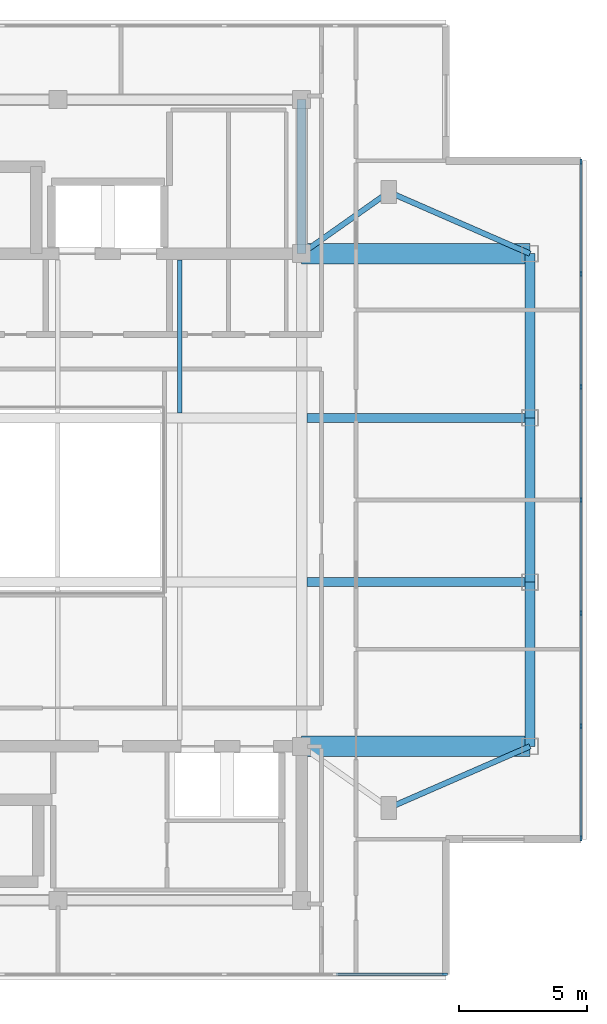
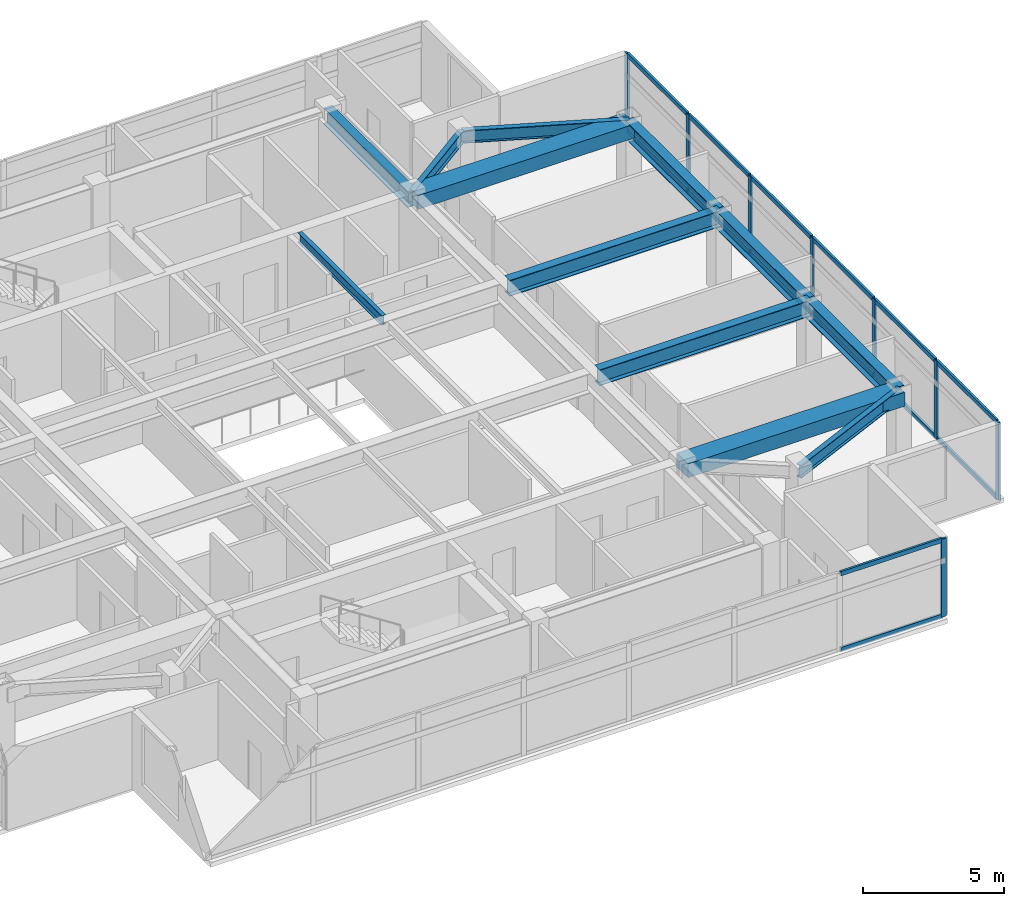
# One storey, part 3 of 12: 22 members, 12 beams, 2 elements without a shape of their own.
"""IFC4 building model written with IfcOpenShell, lengths in metres."""

from ifc_helpers import new_model, si_unit, direction, frame, origin, origin_2d, place, context, subcontext, project, spatial, rectangle, i_section, extrude, material, material_profile, profile_set, type_object, element, aggregate, save


model = new_model("IFC4")

# Units and contexts
model_context = context("Model", 3, precision=1e-05, world=origin(), true_north=direction((0.0, 1.0)))
body_context = subcontext(model_context, "Body", "Model", "MODEL_VIEW")
ifc_project = project(units=[si_unit("LENGTHUNIT", "METRE"), si_unit("AREAUNIT", "SQUARE_METRE"), si_unit("VOLUMEUNIT", "CUBIC_METRE"), si_unit("PLANEANGLEUNIT", "RADIAN"), si_unit("MASSUNIT", "GRAM", prefix="KILO")], contexts=[model_context])

# Site, building, storey
site_placement = place(None, origin())
site = spatial("IfcSite", under=ifc_project, at=site_placement, CompositionType="ELEMENT")
building_placement = place(site_placement, origin())
building = spatial("IfcBuilding", under=site, at=building_placement, Name="Mirazonda Arch Towers", CompositionType="ELEMENT")
storey_placement = place(building_placement, frame((0.0, 0.0, 256.300048828125)))
storey = spatial("IfcBuildingStorey", under=building, at=storey_placement, Name="L73", CompositionType="ELEMENT", Elevation=256.300048828125)

# Beams
ifc_material_1 = material(Name="Steel ASTM A992 Grade 50", Category="steel")
ifc_material_profile_1 = material_profile(ifc_material_1, i_section(OverallWidth=0.381103515625, OverallDepth=0.77294921875, WebThickness=0.0166015625, FlangeThickness=0.027099609375, at=origin_2d()), Name="W30X173")
ifc_profile_set_1 = profile_set([ifc_material_profile_1], Name="Steel ASTM A992 Grade 50")
beam_type_1 = type_object("IfcBeamType", Name="BM-EXT-W30X173", PredefinedType="USERDEFINED", material=ifc_profile_set_1)
beam_1_placement = place(storey_placement, frame((38.89990234375, 18.39990234375, 3.013427734375), z_axis=(0.0, 1.0, 0.0), x_axis=(-1.0, 0.0, 0.0)))
element("IfcBeam", 1, at=beam_1_placement, inside=storey, type_object=beam_type_1, Name="L73 Floor Beam BM-T1-L73-NS-E-18", ObjectType="GIRDER", PredefinedType="USERDEFINED", context=body_context, shape_type="SweptSolid", body=[
    extrude(i_section(OverallWidth=0.381103515625, OverallDepth=0.77294921875, WebThickness=0.0166015625, FlangeThickness=0.027099609375, at=origin_2d()), origin(), (0.0, 0.0, 1.0), 6.400146484375),
])
beam_2_placement = place(storey_placement, frame((38.89990234375, 24.800048828125, 3.013427734375), z_axis=(0.0, 1.0, 0.0), x_axis=(-1.0, 0.0, 0.0)))
element("IfcBeam", 2, at=beam_2_placement, inside=storey, type_object=beam_type_1, Name="L73 Floor Beam BM-T1-L73-NS-E-24", ObjectType="GIRDER", PredefinedType="USERDEFINED", context=body_context, shape_type="SweptSolid", body=[
    extrude(i_section(OverallWidth=0.381103515625, OverallDepth=0.77294921875, WebThickness=0.0166015625, FlangeThickness=0.027099609375, at=origin_2d()), origin(), (0.0, 0.0, 1.0), 6.39990234375),
])
beam_3_placement = place(storey_placement, frame((38.89990234375, 31.199951171875, 3.013427734375), z_axis=(0.0, 1.0, 0.0), x_axis=(-1.0, 0.0, 0.0)))
element("IfcBeam", 3, at=beam_3_placement, inside=storey, type_object=beam_type_1, Name="L73 Floor Beam BM-T1-L73-NS-E-31", ObjectType="GIRDER", PredefinedType="USERDEFINED", context=body_context, shape_type="SweptSolid", body=[
    extrude(i_section(OverallWidth=0.381103515625, OverallDepth=0.77294921875, WebThickness=0.0166015625, FlangeThickness=0.027099609375, at=origin_2d()), origin(), (0.0, 0.0, 1.0), 6.400146484375),
])
ifc_material_profile_2 = material_profile(ifc_material_1, i_section(OverallWidth=0.180908203125, OverallDepth=0.4169921875, WebThickness=0.010986328125, FlangeThickness=0.018310546875, at=origin_2d()), Name="W16X57")
ifc_profile_set_2 = profile_set([ifc_material_profile_2], Name="Steel ASTM A992 Grade 50")
beam_type_2 = type_object("IfcBeamType", Name="BM-INT-W16X57", PredefinedType="JOIST", material=ifc_profile_set_2)
beam_4_placement = place(storey_placement, frame((25.25, 31.39599609375, 3.19140625), z_axis=(0.0, 1.0, 0.0), x_axis=(-1.0, 0.0, 0.0)))
element("IfcBeam", 4, at=beam_4_placement, inside=storey, type_object=beam_type_2, Name="L73 Floor Beam BM-T1-L73-J-252-31", PredefinedType="JOIST", context=body_context, shape_type="SweptSolid", body=[
    extrude(i_section(OverallWidth=0.180908203125, OverallDepth=0.4169921875, WebThickness=0.010986328125, FlangeThickness=0.018310546875, at=origin_2d()), origin(), (0.0, 0.0, 1.0), 5.964111328125),
])
ifc_material_profile_3 = material_profile(ifc_material_1, i_section(OverallWidth=0.214111328125, OverallDepth=0.549072265625, WebThickness=0.0146484375, FlangeThickness=0.023681640625, at=origin_2d()), Name="W21X93")
ifc_profile_set_3 = profile_set([ifc_material_profile_3], Name="Steel ASTM A992 Grade 50")
beam_type_3 = type_object("IfcBeamType", Name="BM-INT-W21X93", PredefinedType="BEAM", material=ifc_profile_set_3)
beam_5_placement = place(storey_placement, frame((33.39990234375, 16.0, 3.12548828125), z_axis=(0.916545343703, 0.399930785183, 0.0), x_axis=(-0.399930785183, 0.916545343703, 0.0)))
element("IfcBeam", 5, at=beam_5_placement, inside=storey, type_object=beam_type_3, Name="L73 Floor Beam BM-T1-L73-PL-SE2", PredefinedType="BEAM", context=body_context, shape_type="SweptSolid", body=[
    extrude(i_section(OverallWidth=0.214111328125, OverallDepth=0.549072265625, WebThickness=0.0146484375, FlangeThickness=0.023681640625, at=origin_2d()), origin(), (0.0, 0.0, 1.0), 6.000732421875),
])
beam_6_placement = place(storey_placement, frame((33.39990234375, 40.0, 3.12548828125), z_axis=(-0.816971114901, -0.576678591087, 0.0), x_axis=(0.576678591087, -0.816971114901, 0.0)))
element("IfcBeam", 6, at=beam_6_placement, inside=storey, type_object=beam_type_3, Name="L73 Floor Beam BM-T1-L73-PL-NE1", PredefinedType="BEAM", context=body_context, shape_type="SweptSolid", body=[
    extrude(i_section(OverallWidth=0.214111328125, OverallDepth=0.549072265625, WebThickness=0.0146484375, FlangeThickness=0.023681640625, at=origin_2d()), origin(), (0.0, 0.0, 1.0), 4.16162109375),
])
beam_7_placement = place(storey_placement, frame((33.39990234375, 40.0, 3.12548828125), z_axis=(0.916545343703, -0.399930785183, 0.0), x_axis=(0.399930785183, 0.916545343703, 0.0)))
element("IfcBeam", 7, at=beam_7_placement, inside=storey, type_object=beam_type_3, Name="L73 Floor Beam BM-T1-L73-PL-NE2", PredefinedType="BEAM", context=body_context, shape_type="SweptSolid", body=[
    extrude(i_section(OverallWidth=0.214111328125, OverallDepth=0.549072265625, WebThickness=0.0146484375, FlangeThickness=0.023681640625, at=origin_2d()), origin(), (0.0, 0.0, 1.0), 6.000732421875),
])
ifc_material_profile_4 = material_profile(ifc_material_1, i_section(OverallWidth=0.35498046875, OverallDepth=0.696044921875, WebThickness=0.015380859375, FlangeThickness=0.02490234375, at=origin_2d()), Name="W27X146")
ifc_profile_set_4 = profile_set([ifc_material_profile_4], Name="Steel ASTM A992 Grade 50")
beam_type_4 = type_object("IfcBeamType", Name="BM-INT-W27X146", PredefinedType="BEAM", material=ifc_profile_set_4)
for number, where, z_axis, x_axis, name in (
    (8, (30.199951171875, 24.800048828125, 3.052001953125), (1.0, 0.0, 0.0), (0.0, 1.0, 0.0), "L73 Floor Beam BM-T1-L73-GE2"),
    (9, (30.199951171875, 31.199951171875, 3.052001953125), (1.0, 0.0, 0.0), (0.0, 1.0, 0.0), "L73 Floor Beam BM-T1-L73-GE3"),
):
    element("IfcBeam", number, at=place(storey_placement, frame(where, z_axis=z_axis, x_axis=x_axis)), inside=storey, type_object=beam_type_4, Name=name, PredefinedType="BEAM", context=body_context, shape_type="SweptSolid", body=[
        extrude(i_section(OverallWidth=0.35498046875, OverallDepth=0.696044921875, WebThickness=0.015380859375, FlangeThickness=0.02490234375, at=origin_2d()), origin(), (0.0, 0.0, 1.0), 8.699951171875),
    ])
beam_8_placement = place(storey_placement, frame((30.0, 37.60009765625, 3.052001953125), z_axis=(0.0, 1.0, 0.0), x_axis=(-1.0, 0.0, 0.0)))
element("IfcBeam", 10, at=beam_8_placement, inside=storey, type_object=beam_type_4, Name="L73 Floor Beam BM-T1-L73-CNE", PredefinedType="BEAM", context=body_context, shape_type="SweptSolid", body=[
    extrude(i_section(OverallWidth=0.35498046875, OverallDepth=0.696044921875, WebThickness=0.015380859375, FlangeThickness=0.02490234375, at=origin_2d()), origin(), (0.0, 0.0, 1.0), 6.0),
])
ifc_material_2 = material(Name="Concrete C60/75", Category="concrete")
ifc_material_profile_5 = material_profile(ifc_material_2, rectangle(XDim=0.800048828125, YDim=0.60009765625, at=origin_2d()), Name="RCCB800x600")
ifc_profile_set_5 = profile_set([ifc_material_profile_5], Name="Concrete C60/75")
beam_type_5 = type_object("IfcBeamType", Name="CB-INT-RCCB800x600", PredefinedType="SPANDREL", material=ifc_profile_set_5)
for number, where, z_axis, x_axis, name in (
    (11, (30.0, 37.60009765625, 3.099853515625), (1.0, 0.0, 0.0), (0.0, 1.0, 0.0), "L73 Floor Beam CBC-T1-L73-NE"),
    (12, (30.0, 18.39990234375, 3.099853515625), (1.0, 0.0, 0.0), (0.0, 1.0, 0.0), "L73 Floor Beam CBC-T1-L73-SE"),
):
    element("IfcBeam", number, at=place(storey_placement, frame(where, z_axis=z_axis, x_axis=x_axis)), inside=storey, type_object=beam_type_5, Name=name, PredefinedType="SPANDREL", context=body_context, shape_type="SweptSolid", body=[
        extrude(rectangle(XDim=0.800048828125, YDim=0.60009765625, at=origin_2d()), origin(), (0.0, 0.0, 1.0), 8.89990234375),
    ])

# Curtain wall, member
ifc_material_3 = material(Name="Anodised Aluminium and Low-E Glass", Category="aluminium")
curtain_wall_type = type_object("IfcCurtainWallType", Name="CW-OBS-LANTERN", PredefinedType="NOTDEFINED", material=ifc_material_3)
curtain_wall_1_placement = place(storey_placement, origin())
curtain_wall_1 = element("IfcCurtainWall", 13, at=curtain_wall_1_placement, inside=storey, type_object=curtain_wall_type, Name="L73 T1 S Facade CW-L73-T1-S", PredefinedType="NOTDEFINED")
ifc_material_4 = material(Name="Anodised Aluminium Alloy", Category="aluminium")
ifc_material_profile_6 = material_profile(ifc_material_4, rectangle(XDim=0.090087890625, YDim=0.2099609375, at=origin_2d()), Name="ALU-MULL-90x210")
ifc_profile_set_6 = profile_set([ifc_material_profile_6], Name="Anodised Aluminium Alloy")
member_type_1 = type_object("IfcMemberType", Name="MULL-CW-OBS-LANTERN", PredefinedType="MULLION", material=ifc_profile_set_6)
member_1_placement = place(storey_placement, frame((35.580078125, 9.513916015625, 0.0), z_axis=(0.0, 0.0, 1.0), x_axis=(0.0, -1.0, 0.0)))
member_1 = element("IfcMember", 14, at=member_1_placement, type_object=member_type_1, Name="CW-110 mullion 1", PredefinedType="MULLION", context=body_context, shape_type="SweptSolid", body=[
    extrude(rectangle(XDim=0.090087890625, YDim=0.2099609375, at=origin_2d()), origin(), (0.0, 0.0, 1.0), 3.3798828125),
])

# Curtain wall, members
curtain_wall_2_placement = place(storey_placement, origin())
curtain_wall_2 = element("IfcCurtainWall", 15, at=curtain_wall_2_placement, inside=storey, type_object=curtain_wall_type, Name="L73 T1 E Facade CW-L73-T1-E", PredefinedType="NOTDEFINED")
member_2_placement = place(storey_placement, frame((40.889892578125, 14.823974609375, 0.0), z_axis=(0.0, 0.0, 1.0), x_axis=(-1.0, 0.0, 0.0)))
member_2 = element("IfcMember", 16, at=member_2_placement, type_object=member_type_1, Name="CW-110 mullion 1", PredefinedType="MULLION", context=body_context, shape_type="SweptSolid", body=[
    extrude(rectangle(XDim=0.090087890625, YDim=0.2099609375, at=origin_2d()), origin(), (0.0, 0.0, 1.0), 3.3798828125),
])
member_3_placement = place(storey_placement, frame((40.889892578125, 19.18603515625, 0.0), z_axis=(0.0, 0.0, 1.0), x_axis=(-1.0, 0.0, 0.0)))
member_3 = element("IfcMember", 17, at=member_3_placement, type_object=member_type_1, Name="CW-110 mullion 2", PredefinedType="MULLION", context=body_context, shape_type="SweptSolid", body=[
    extrude(rectangle(XDim=0.090087890625, YDim=0.2099609375, at=origin_2d()), origin(), (0.0, 0.0, 1.0), 3.3798828125),
])
member_4_placement = place(storey_placement, frame((40.889892578125, 23.593017578125, 0.0), z_axis=(0.0, 0.0, 1.0), x_axis=(-1.0, 0.0, 0.0)))
member_4 = element("IfcMember", 18, at=member_4_placement, type_object=member_type_1, Name="CW-110 mullion 3", PredefinedType="MULLION", context=body_context, shape_type="SweptSolid", body=[
    extrude(rectangle(XDim=0.090087890625, YDim=0.2099609375, at=origin_2d()), origin(), (0.0, 0.0, 1.0), 3.3798828125),
])
member_5_placement = place(storey_placement, frame((40.889892578125, 28.0, 0.0), z_axis=(0.0, 0.0, 1.0), x_axis=(-1.0, 0.0, 0.0)))
member_5 = element("IfcMember", 19, at=member_5_placement, type_object=member_type_1, Name="CW-110 mullion 4", PredefinedType="MULLION", context=body_context, shape_type="SweptSolid", body=[
    extrude(rectangle(XDim=0.090087890625, YDim=0.2099609375, at=origin_2d()), origin(), (0.0, 0.0, 1.0), 3.3798828125),
])
member_6_placement = place(storey_placement, frame((40.889892578125, 32.406982421875, 0.0), z_axis=(0.0, 0.0, 1.0), x_axis=(-1.0, 0.0, 0.0)))
member_6 = element("IfcMember", 20, at=member_6_placement, type_object=member_type_1, Name="CW-110 mullion 5", PredefinedType="MULLION", context=body_context, shape_type="SweptSolid", body=[
    extrude(rectangle(XDim=0.090087890625, YDim=0.2099609375, at=origin_2d()), origin(), (0.0, 0.0, 1.0), 3.3798828125),
])
member_7_placement = place(storey_placement, frame((40.889892578125, 36.81396484375, 0.0), z_axis=(0.0, 0.0, 1.0), x_axis=(-1.0, 0.0, 0.0)))
member_7 = element("IfcMember", 21, at=member_7_placement, type_object=member_type_1, Name="CW-110 mullion 6", PredefinedType="MULLION", context=body_context, shape_type="SweptSolid", body=[
    extrude(rectangle(XDim=0.090087890625, YDim=0.2099609375, at=origin_2d()), origin(), (0.0, 0.0, 1.0), 3.3798828125),
])
member_8_placement = place(storey_placement, frame((40.889892578125, 41.176025390625, 0.0), z_axis=(0.0, 0.0, 1.0), x_axis=(-1.0, 0.0, 0.0)))
member_8 = element("IfcMember", 22, at=member_8_placement, type_object=member_type_1, Name="CW-110 mullion 7", PredefinedType="MULLION", context=body_context, shape_type="SweptSolid", body=[
    extrude(rectangle(XDim=0.090087890625, YDim=0.2099609375, at=origin_2d()), origin(), (0.0, 0.0, 1.0), 3.3798828125),
])

# Member
ifc_material_profile_7 = material_profile(ifc_material_4, rectangle(XDim=0.090087890625, YDim=0.18994140625, at=origin_2d()), Name="ALU-TRAN-90x190")
ifc_profile_set_7 = profile_set([ifc_material_profile_7], Name="Anodised Aluminium Alloy")
member_type_2 = type_object("IfcMemberType", Name="TRAN-CW-OBS-LANTERN", PredefinedType="USERDEFINED", material=ifc_profile_set_7)
member_9_placement = place(storey_placement, frame((35.534912109375, 9.513916015625, 0.044921875), z_axis=(-1.0, 0.0, 0.0), x_axis=(0.0, -1.0, 0.0)))
member_9 = element("IfcMember", 23, at=member_9_placement, type_object=member_type_2, Name="CW-110 transom 1.1", ObjectType="TRANSOM", PredefinedType="USERDEFINED", context=body_context, shape_type="SweptSolid", body=[
    extrude(rectangle(XDim=0.090087890625, YDim=0.18994140625, at=origin_2d()), origin(), (0.0, 0.0, 1.0), 4.186279296875),
])

member_10_placement = place(storey_placement, frame((35.534912109375, 9.513916015625, 3.3349609375), z_axis=(-1.0, 0.0, 0.0), x_axis=(0.0, -1.0, 0.0)))
member_10 = element("IfcMember", 24, at=member_10_placement, type_object=member_type_2, Name="CW-110 transom 1.2", ObjectType="TRANSOM", PredefinedType="USERDEFINED", context=body_context, shape_type="SweptSolid", body=[
    extrude(rectangle(XDim=0.090087890625, YDim=0.18994140625, at=origin_2d()), origin(), (0.0, 0.0, 1.0), 4.186279296875),
])

aggregate(curtain_wall_1, [member_1, member_9, member_10])

member_11_placement = place(storey_placement, frame((40.889892578125, 14.868896484375, 0.044921875), z_axis=(0.0, 1.0, 0.0), x_axis=(-1.0, 0.0, 0.0)))
member_11 = element("IfcMember", 25, at=member_11_placement, type_object=member_type_2, Name="CW-110 transom 1.1", ObjectType="TRANSOM", PredefinedType="USERDEFINED", context=body_context, shape_type="SweptSolid", body=[
    extrude(rectangle(XDim=0.090087890625, YDim=0.18994140625, at=origin_2d()), origin(), (0.0, 0.0, 1.0), 4.272216796875),
])

member_12_placement = place(storey_placement, frame((40.889892578125, 14.868896484375, 3.3349609375), z_axis=(0.0, 1.0, 0.0), x_axis=(-1.0, 0.0, 0.0)))
member_12 = element("IfcMember", 26, at=member_12_placement, type_object=member_type_2, Name="CW-110 transom 1.2", ObjectType="TRANSOM", PredefinedType="USERDEFINED", context=body_context, shape_type="SweptSolid", body=[
    extrude(rectangle(XDim=0.090087890625, YDim=0.18994140625, at=origin_2d()), origin(), (0.0, 0.0, 1.0), 4.272216796875),
])

member_13_placement = place(storey_placement, frame((40.889892578125, 19.23095703125, 0.044921875), z_axis=(0.0, 1.0, 0.0), x_axis=(-1.0, 0.0, 0.0)))
member_13 = element("IfcMember", 27, at=member_13_placement, type_object=member_type_2, Name="CW-110 transom 2.1", ObjectType="TRANSOM", PredefinedType="USERDEFINED", context=body_context, shape_type="SweptSolid", body=[
    extrude(rectangle(XDim=0.090087890625, YDim=0.18994140625, at=origin_2d()), origin(), (0.0, 0.0, 1.0), 4.317138671875),
])

member_14_placement = place(storey_placement, frame((40.889892578125, 19.23095703125, 3.3349609375), z_axis=(0.0, 1.0, 0.0), x_axis=(-1.0, 0.0, 0.0)))
member_14 = element("IfcMember", 28, at=member_14_placement, type_object=member_type_2, Name="CW-110 transom 2.2", ObjectType="TRANSOM", PredefinedType="USERDEFINED", context=body_context, shape_type="SweptSolid", body=[
    extrude(rectangle(XDim=0.090087890625, YDim=0.18994140625, at=origin_2d()), origin(), (0.0, 0.0, 1.0), 4.317138671875),
])

member_15_placement = place(storey_placement, frame((40.889892578125, 23.637939453125, 0.044921875), z_axis=(0.0, 1.0, 0.0), x_axis=(-1.0, 0.0, 0.0)))
member_15 = element("IfcMember", 29, at=member_15_placement, type_object=member_type_2, Name="CW-110 transom 3.1", ObjectType="TRANSOM", PredefinedType="USERDEFINED", context=body_context, shape_type="SweptSolid", body=[
    extrude(rectangle(XDim=0.090087890625, YDim=0.18994140625, at=origin_2d()), origin(), (0.0, 0.0, 1.0), 4.317138671875),
])

member_16_placement = place(storey_placement, frame((40.889892578125, 23.637939453125, 3.3349609375), z_axis=(0.0, 1.0, 0.0), x_axis=(-1.0, 0.0, 0.0)))
member_16 = element("IfcMember", 30, at=member_16_placement, type_object=member_type_2, Name="CW-110 transom 3.2", ObjectType="TRANSOM", PredefinedType="USERDEFINED", context=body_context, shape_type="SweptSolid", body=[
    extrude(rectangle(XDim=0.090087890625, YDim=0.18994140625, at=origin_2d()), origin(), (0.0, 0.0, 1.0), 4.317138671875),
])

member_17_placement = place(storey_placement, frame((40.889892578125, 28.044921875, 0.044921875), z_axis=(0.0, 1.0, 0.0), x_axis=(-1.0, 0.0, 0.0)))
member_17 = element("IfcMember", 31, at=member_17_placement, type_object=member_type_2, Name="CW-110 transom 4.1", ObjectType="TRANSOM", PredefinedType="USERDEFINED", context=body_context, shape_type="SweptSolid", body=[
    extrude(rectangle(XDim=0.090087890625, YDim=0.18994140625, at=origin_2d()), origin(), (0.0, 0.0, 1.0), 4.317138671875),
])

member_18_placement = place(storey_placement, frame((40.889892578125, 28.044921875, 3.3349609375), z_axis=(0.0, 1.0, 0.0), x_axis=(-1.0, 0.0, 0.0)))
member_18 = element("IfcMember", 32, at=member_18_placement, type_object=member_type_2, Name="CW-110 transom 4.2", ObjectType="TRANSOM", PredefinedType="USERDEFINED", context=body_context, shape_type="SweptSolid", body=[
    extrude(rectangle(XDim=0.090087890625, YDim=0.18994140625, at=origin_2d()), origin(), (0.0, 0.0, 1.0), 4.317138671875),
])

member_19_placement = place(storey_placement, frame((40.889892578125, 32.451904296875, 0.044921875), z_axis=(0.0, 1.0, 0.0), x_axis=(-1.0, 0.0, 0.0)))
member_19 = element("IfcMember", 33, at=member_19_placement, type_object=member_type_2, Name="CW-110 transom 5.1", ObjectType="TRANSOM", PredefinedType="USERDEFINED", context=body_context, shape_type="SweptSolid", body=[
    extrude(rectangle(XDim=0.090087890625, YDim=0.18994140625, at=origin_2d()), origin(), (0.0, 0.0, 1.0), 4.317138671875),
])

member_20_placement = place(storey_placement, frame((40.889892578125, 32.451904296875, 3.3349609375), z_axis=(0.0, 1.0, 0.0), x_axis=(-1.0, 0.0, 0.0)))
member_20 = element("IfcMember", 34, at=member_20_placement, type_object=member_type_2, Name="CW-110 transom 5.2", ObjectType="TRANSOM", PredefinedType="USERDEFINED", context=body_context, shape_type="SweptSolid", body=[
    extrude(rectangle(XDim=0.090087890625, YDim=0.18994140625, at=origin_2d()), origin(), (0.0, 0.0, 1.0), 4.317138671875),
])

member_21_placement = place(storey_placement, frame((40.889892578125, 36.85888671875, 0.044921875), z_axis=(0.0, 1.0, 0.0), x_axis=(-1.0, 0.0, 0.0)))
member_21 = element("IfcMember", 35, at=member_21_placement, type_object=member_type_2, Name="CW-110 transom 6.1", ObjectType="TRANSOM", PredefinedType="USERDEFINED", context=body_context, shape_type="SweptSolid", body=[
    extrude(rectangle(XDim=0.090087890625, YDim=0.18994140625, at=origin_2d()), origin(), (0.0, 0.0, 1.0), 4.272216796875),
])

member_22_placement = place(storey_placement, frame((40.889892578125, 36.85888671875, 3.3349609375), z_axis=(0.0, 1.0, 0.0), x_axis=(-1.0, 0.0, 0.0)))
member_22 = element("IfcMember", 36, at=member_22_placement, type_object=member_type_2, Name="CW-110 transom 6.2", ObjectType="TRANSOM", PredefinedType="USERDEFINED", context=body_context, shape_type="SweptSolid", body=[
    extrude(rectangle(XDim=0.090087890625, YDim=0.18994140625, at=origin_2d()), origin(), (0.0, 0.0, 1.0), 4.272216796875),
])

aggregate(curtain_wall_2, [member_2, member_3, member_4, member_5, member_6, member_7, member_8, member_11, member_12, member_13, member_14, member_15, member_16, member_17, member_18, member_19, member_20, member_21, member_22])

save(model, "model.ifc")
